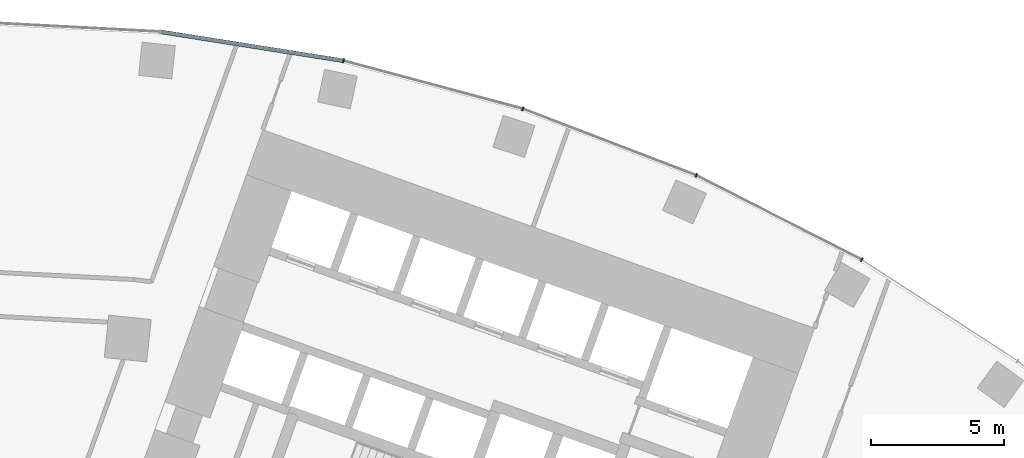
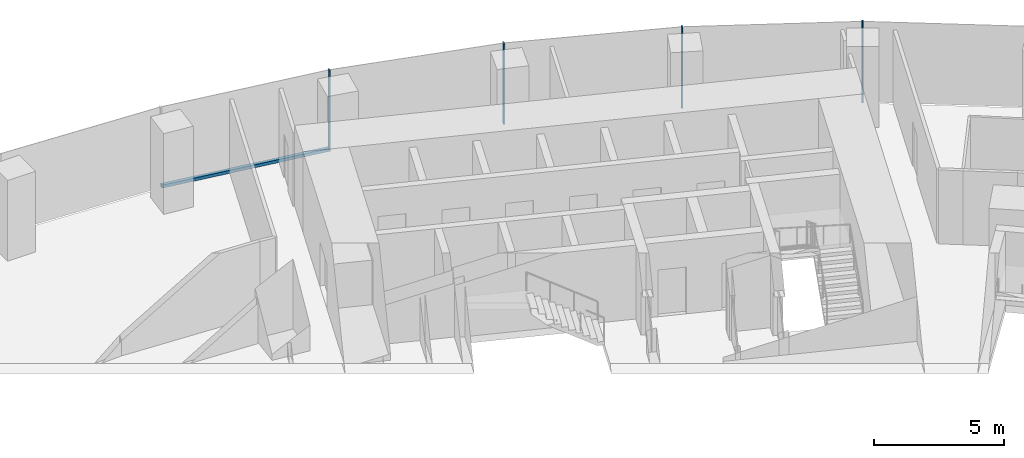
# One storey, part 11 of 21: 5 members, 1 element without a shape of its own.
"""IFC4 building model written with IfcOpenShell, lengths in metres."""

from ifc_helpers import new_model, si_unit, direction, frame, origin, origin_2d, place, context, subcontext, project, spatial, rectangle, extrude, material, layer, layer_set, material_profile, profile_set, type_object, element, aggregate, save


model = new_model("IFC4")

# Units and contexts
model_context = context("Model", 3, precision=1e-05, world=origin(), true_north=direction((0.0, 1.0)))
body_context = subcontext(model_context, "Body", "Model", "MODEL_VIEW")
ifc_project = project(units=[si_unit("LENGTHUNIT", "METRE"), si_unit("AREAUNIT", "SQUARE_METRE"), si_unit("VOLUMEUNIT", "CUBIC_METRE"), si_unit("PLANEANGLEUNIT", "RADIAN"), si_unit("MASSUNIT", "GRAM", prefix="KILO")], contexts=[model_context])

# Site, building, storey
site_placement = place(None, origin())
site = spatial("IfcSite", under=ifc_project, at=site_placement, CompositionType="ELEMENT")
building_placement = place(site_placement, origin())
building = spatial("IfcBuilding", under=site, at=building_placement, Name="Stone Belt Terrace Tower", CompositionType="ELEMENT")
storey_placement = place(building_placement, frame((0.0, 0.0, 71.800048828125)))
storey = spatial("IfcBuildingStorey", under=building, at=storey_placement, Name="L17", CompositionType="ELEMENT", Elevation=71.800048828125)

# Curtain wall, members
ifc_material = material(Name="Aluminium 6063-T6 anodised frame", Category="aluminium")
ifc_layer = layer(ifc_material, 0.14990234375)
ifc_layer_set = layer_set([ifc_layer], Name="CW-A unitised convex-face curtain wall")
curtain_wall_type = type_object("IfcCurtainWallType", Name="CW-A unitised convex-face curtain wall", PredefinedType="NOTDEFINED", material=ifc_layer_set)
curtain_wall_placement = place(storey_placement, origin())
curtain_wall = element("IfcCurtainWall", 1, at=curtain_wall_placement, inside=storey, type_object=curtain_wall_type, Name="CW-A convex face L17", PredefinedType="NOTDEFINED")
ifc_material_profile_1 = material_profile(ifc_material, rectangle(XDim=0.14990234375, YDim=0.06005859375, at=origin_2d()), Name="Aluminium 6063-T6 60x150")
ifc_profile_set_1 = profile_set([ifc_material_profile_1], Name="Aluminium 6063-T6 anodised frame")
member_type_1 = type_object("IfcMemberType", Name="CW-A mullion 60 x 150", PredefinedType="MULLION", material=ifc_profile_set_1)
member_1_placement = place(storey_placement, frame((33.28759765625, 57.65576171875, 0.0), z_axis=(0.0, 0.0, 1.0), x_axis=(-0.5, -0.866025403784, 0.0)))
member_1 = element("IfcMember", 2, at=member_1_placement, type_object=member_type_1, Name="CW-A mullion 4", PredefinedType="MULLION", context=body_context, shape_type="SweptSolid", body=[
    extrude(rectangle(XDim=0.14990234375, YDim=0.06005859375, at=origin_2d()), origin(), (0.0, 0.0, 1.0), 3.800048828125),
])
member_2_placement = place(storey_placement, frame((27.07861328125, 60.8193359375, 0.0), z_axis=(0.0, 0.0, 1.0), x_axis=(-0.406736643076, -0.913545457643, 0.0)))
member_2 = element("IfcMember", 3, at=member_2_placement, type_object=member_type_1, Name="CW-A mullion 5", PredefinedType="MULLION", context=body_context, shape_type="SweptSolid", body=[
    extrude(rectangle(XDim=0.14990234375, YDim=0.06005859375, at=origin_2d()), origin(), (0.0, 0.0, 1.0), 3.800048828125),
])
member_3_placement = place(storey_placement, frame((20.57275390625, 63.316650390625, 0.0), z_axis=(0.0, 0.0, 1.0), x_axis=(-0.309016994375, -0.951056516295, 0.0)))
member_3 = element("IfcMember", 4, at=member_3_placement, type_object=member_type_1, Name="CW-A mullion 6", PredefinedType="MULLION", context=body_context, shape_type="SweptSolid", body=[
    extrude(rectangle(XDim=0.14990234375, YDim=0.06005859375, at=origin_2d()), origin(), (0.0, 0.0, 1.0), 3.800048828125),
])
member_4_placement = place(storey_placement, frame((13.841796875, 65.120361328125, 0.0), z_axis=(0.0, 0.0, 1.0), x_axis=(-0.207911690818, -0.978147600734, 0.0)))
member_4 = element("IfcMember", 5, at=member_4_placement, type_object=member_type_1, Name="CW-A mullion 7", PredefinedType="MULLION", context=body_context, shape_type="SweptSolid", body=[
    extrude(rectangle(XDim=0.14990234375, YDim=0.06005859375, at=origin_2d()), origin(), (0.0, 0.0, 1.0), 3.800048828125),
])
ifc_material_profile_2 = material_profile(ifc_material, rectangle(XDim=0.14990234375, YDim=0.139892578125, at=origin_2d()), Name="Aluminium 6063-T6 150x140")
ifc_profile_set_2 = profile_set([ifc_material_profile_2], Name="Aluminium 6063-T6 anodised frame")
member_type_2 = type_object("IfcMemberType", Name="CW-A transom 140 x 150", PredefinedType="USERDEFINED", material=ifc_profile_set_2)
member_5_placement = place(storey_placement, frame((13.808349609375, 65.12548828125, 0.070068359375), z_axis=(-0.987687120531, 0.156442168027, 0.0), x_axis=(-0.156442168027, -0.987687120531, 0.0)))
member_5 = element("IfcMember", 6, at=member_5_placement, type_object=member_type_2, Name="CW-A transom 7.1", ObjectType="TRANSOM", PredefinedType="USERDEFINED", context=body_context, shape_type="SweptSolid", body=[
    extrude(rectangle(XDim=0.14990234375, YDim=0.139892578125, at=origin_2d()), origin(), (0.0, 0.0, 1.0), 6.90087890625),
])
aggregate(curtain_wall, [member_1, member_2, member_3, member_4, member_5])

save(model, "model.ifc")
